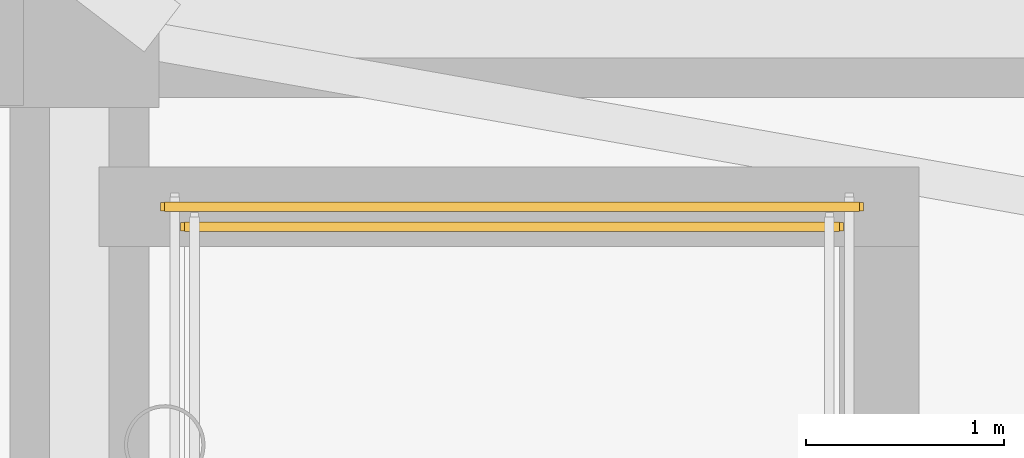
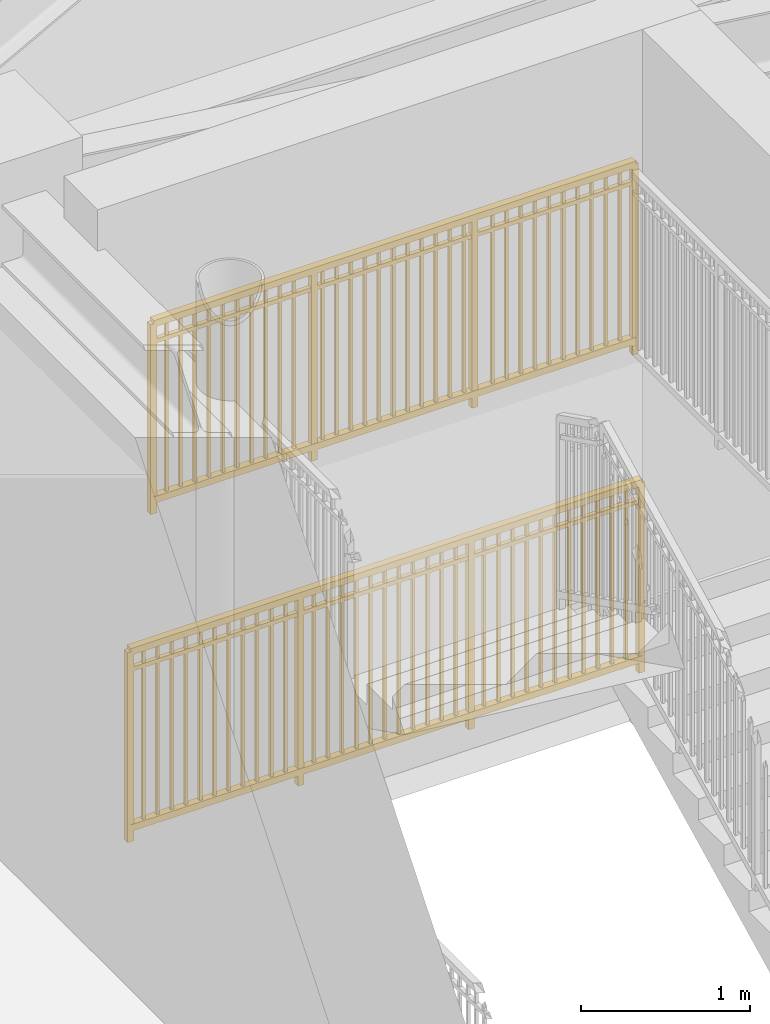
# One storey, part 12 of 12: 2 railings.
"""IFC4 building model written with IfcOpenShell, lengths in metres."""

from ifc_helpers import new_model, si_unit, direction, frame, origin, origin_2d, place, context, subcontext, project, spatial, rectangle, extrude, source, transform, mapped, material, type_object, element, save


model = new_model("IFC4")

# Units and contexts
model_context = context("Model", 3, precision=1e-05, world=origin(), true_north=direction((0.0, 1.0)))
body_context = subcontext(model_context, "Body", "Model", "MODEL_VIEW")
ifc_project = project(units=[si_unit("LENGTHUNIT", "METRE"), si_unit("AREAUNIT", "SQUARE_METRE"), si_unit("VOLUMEUNIT", "CUBIC_METRE"), si_unit("PLANEANGLEUNIT", "RADIAN"), si_unit("MASSUNIT", "GRAM", prefix="KILO")], contexts=[model_context])

# Site, building, storey
site_placement = place(None, origin())
site = spatial("IfcSite", under=ifc_project, at=site_placement, CompositionType="ELEMENT")
building_placement = place(site_placement, origin())
building = spatial("IfcBuilding", under=site, at=building_placement, Name="Linh Dai School and Residence Tower", CompositionType="ELEMENT")
storey_placement = place(building_placement, frame((0.0, 0.0, 368.39990234375)))
storey = spatial("IfcBuildingStorey", under=building, at=storey_placement, Name="L91", CompositionType="ELEMENT", Elevation=368.39990234375)

# Railings
ifc_material = material(Name="Structural Steel S355JR", Category="steel")
railing_type = type_object("IfcRailingType", Name="RL-ST-GUARD-1400", PredefinedType="GUARDRAIL", material=ifc_material)
shared_shape_1 = source(origin(), body_context, "Body", "SweptSolid", [
    extrude(rectangle(XDim=0.048095703125, YDim=0.048095703125, at=origin_2d()), frame((0.0, 0.0, 1.3759765625), z_axis=(-1.0, 0.0, 0.0), x_axis=(0.0, -1.0, 0.0)), (0.0, 0.0, 1.0), 3.300048828125),
    extrude(rectangle(XDim=0.048095703125, YDim=0.048095703125, at=origin_2d()), frame((0.0, 0.0, 0.10009765625), z_axis=(-1.0, 0.0, 0.0), x_axis=(0.0, -1.0, 0.0)), (0.0, 0.0, 1.0), 3.300048828125),
    extrude(rectangle(XDim=0.030029296875, YDim=0.030029296875, at=origin_2d()), frame((0.0, 0.0, 1.239990234375), z_axis=(-1.0, 0.0, 0.0), x_axis=(0.0, -1.0, 0.0)), (0.0, 0.0, 1.0), 3.300048828125),
    extrude(rectangle(XDim=0.02001953125, YDim=0.02001953125, at=origin_2d()), frame((-0.09716796875, 0.0, 0.10009765625)), (0.0, 0.0, 1.0), 1.251708984375),
    extrude(rectangle(XDim=0.02001953125, YDim=0.02001953125, at=origin_2d()), frame((-0.194091796875, 0.0, 0.10009765625)), (0.0, 0.0, 1.0), 1.251708984375),
    extrude(rectangle(XDim=0.02001953125, YDim=0.02001953125, at=origin_2d()), frame((-0.291259765625, 0.0, 0.10009765625)), (0.0, 0.0, 1.0), 1.251708984375),
    extrude(rectangle(XDim=0.02001953125, YDim=0.02001953125, at=origin_2d()), frame((-0.38818359375, 0.0, 0.10009765625)), (0.0, 0.0, 1.0), 1.251708984375),
    extrude(rectangle(XDim=0.02001953125, YDim=0.02001953125, at=origin_2d()), frame((-0.4853515625, 0.0, 0.10009765625)), (0.0, 0.0, 1.0), 1.251708984375),
    extrude(rectangle(XDim=0.02001953125, YDim=0.02001953125, at=origin_2d()), frame((-0.582275390625, 0.0, 0.10009765625)), (0.0, 0.0, 1.0), 1.251708984375),
    extrude(rectangle(XDim=0.02001953125, YDim=0.02001953125, at=origin_2d()), frame((-0.679443359375, 0.0, 0.10009765625)), (0.0, 0.0, 1.0), 1.251708984375),
    extrude(rectangle(XDim=0.02001953125, YDim=0.02001953125, at=origin_2d()), frame((-0.7763671875, 0.0, 0.10009765625)), (0.0, 0.0, 1.0), 1.251708984375),
    extrude(rectangle(XDim=0.02001953125, YDim=0.02001953125, at=origin_2d()), frame((-0.87353515625, 0.0, 0.10009765625)), (0.0, 0.0, 1.0), 1.251708984375),
    extrude(rectangle(XDim=0.02001953125, YDim=0.02001953125, at=origin_2d()), frame((-0.970703125, 0.0, 0.10009765625)), (0.0, 0.0, 1.0), 1.251708984375),
    extrude(rectangle(XDim=0.02001953125, YDim=0.02001953125, at=origin_2d()), frame((-1.164794921875, 0.0, 0.10009765625)), (0.0, 0.0, 1.0), 1.251708984375),
    extrude(rectangle(XDim=0.02001953125, YDim=0.02001953125, at=origin_2d()), frame((-1.26171875, 0.0, 0.10009765625)), (0.0, 0.0, 1.0), 1.251708984375),
    extrude(rectangle(XDim=0.02001953125, YDim=0.02001953125, at=origin_2d()), frame((-1.35888671875, 0.0, 0.10009765625)), (0.0, 0.0, 1.0), 1.251708984375),
    extrude(rectangle(XDim=0.02001953125, YDim=0.02001953125, at=origin_2d()), frame((-1.455810546875, 0.0, 0.10009765625)), (0.0, 0.0, 1.0), 1.251708984375),
    extrude(rectangle(XDim=0.02001953125, YDim=0.02001953125, at=origin_2d()), frame((-1.552978515625, 0.0, 0.10009765625)), (0.0, 0.0, 1.0), 1.251708984375),
    extrude(rectangle(XDim=0.02001953125, YDim=0.02001953125, at=origin_2d()), frame((-1.64990234375, 0.0, 0.10009765625)), (0.0, 0.0, 1.0), 1.251708984375),
    extrude(rectangle(XDim=0.02001953125, YDim=0.02001953125, at=origin_2d()), frame((-1.7470703125, 0.0, 0.10009765625)), (0.0, 0.0, 1.0), 1.251708984375),
    extrude(rectangle(XDim=0.02001953125, YDim=0.02001953125, at=origin_2d()), frame((-1.84423828125, 0.0, 0.10009765625)), (0.0, 0.0, 1.0), 1.251708984375),
    extrude(rectangle(XDim=0.02001953125, YDim=0.02001953125, at=origin_2d()), frame((-1.941162109375, 0.0, 0.10009765625)), (0.0, 0.0, 1.0), 1.251708984375),
    extrude(rectangle(XDim=0.02001953125, YDim=0.02001953125, at=origin_2d()), frame((-2.038330078125, 0.0, 0.10009765625)), (0.0, 0.0, 1.0), 1.251708984375),
    extrude(rectangle(XDim=0.02001953125, YDim=0.02001953125, at=origin_2d()), frame((-2.13525390625, 0.0, 0.10009765625)), (0.0, 0.0, 1.0), 1.251708984375),
    extrude(rectangle(XDim=0.02001953125, YDim=0.02001953125, at=origin_2d()), frame((-2.329345703125, 0.0, 0.10009765625)), (0.0, 0.0, 1.0), 1.251708984375),
    extrude(rectangle(XDim=0.02001953125, YDim=0.02001953125, at=origin_2d()), frame((-2.426513671875, 0.0, 0.10009765625)), (0.0, 0.0, 1.0), 1.251708984375),
    extrude(rectangle(XDim=0.02001953125, YDim=0.02001953125, at=origin_2d()), frame((-2.523681640625, 0.0, 0.10009765625)), (0.0, 0.0, 1.0), 1.251708984375),
    extrude(rectangle(XDim=0.02001953125, YDim=0.02001953125, at=origin_2d()), frame((-2.62060546875, 0.0, 0.10009765625)), (0.0, 0.0, 1.0), 1.251708984375),
    extrude(rectangle(XDim=0.02001953125, YDim=0.02001953125, at=origin_2d()), frame((-2.7177734375, 0.0, 0.10009765625)), (0.0, 0.0, 1.0), 1.251708984375),
    extrude(rectangle(XDim=0.02001953125, YDim=0.02001953125, at=origin_2d()), frame((-2.814697265625, 0.0, 0.10009765625)), (0.0, 0.0, 1.0), 1.251708984375),
    extrude(rectangle(XDim=0.02001953125, YDim=0.02001953125, at=origin_2d()), frame((-2.911865234375, 0.0, 0.10009765625)), (0.0, 0.0, 1.0), 1.251708984375),
    extrude(rectangle(XDim=0.02001953125, YDim=0.02001953125, at=origin_2d()), frame((-3.0087890625, 0.0, 0.10009765625)), (0.0, 0.0, 1.0), 1.251708984375),
    extrude(rectangle(XDim=0.02001953125, YDim=0.02001953125, at=origin_2d()), frame((-3.10595703125, 0.0, 0.10009765625)), (0.0, 0.0, 1.0), 1.251708984375),
    extrude(rectangle(XDim=0.02001953125, YDim=0.02001953125, at=origin_2d()), frame((-3.202880859375, 0.0, 0.10009765625)), (0.0, 0.0, 1.0), 1.251708984375),
    extrude(rectangle(XDim=0.0419921875, YDim=0.0419921875, at=origin_2d()), origin(), (0.0, 0.0, 1.0), 1.3759765625),
    extrude(rectangle(XDim=0.0419921875, YDim=0.0419921875, at=origin_2d()), frame((-1.10009765625, 0.0, 0.0)), (0.0, 0.0, 1.0), 1.3759765625),
    extrude(rectangle(XDim=0.0419921875, YDim=0.0419921875, at=origin_2d()), frame((-2.199951171875, 0.0, 0.0)), (0.0, 0.0, 1.0), 1.3759765625),
    extrude(rectangle(XDim=0.0419921875, YDim=0.0419921875, at=origin_2d()), frame((-3.300048828125, 0.0, 0.0)), (0.0, 0.0, 1.0), 1.3759765625),
])
railing_1_placement = place(storey_placement, frame((30.97998046875, 32.449951171875, 2.400146484375)))
element("IfcRailing", 1, at=railing_1_placement, inside=storey, type_object=railing_type, Name="L91 ST1 stair guard 5", PredefinedType="GUARDRAIL", context=body_context, shape_type="MappedRepresentation", body=[
    mapped(shared_shape_1, transform((0.0, 0.0, 0.0), x_axis=(1.0, 0.0, 0.0), y_axis=(0.0, 1.0, 0.0), z_axis=(0.0, 0.0, 1.0), scale=1.0)),
])
shared_shape_2 = source(origin(), body_context, "Body", "SweptSolid", [
    extrude(rectangle(XDim=0.048095703125, YDim=0.048095703125, at=origin_2d()), frame((0.0, 0.0, 1.3759765625), z_axis=(-1.0, 0.0, 0.0), x_axis=(0.0, -1.0, 0.0)), (0.0, 0.0, 1.0), 3.5),
    extrude(rectangle(XDim=0.048095703125, YDim=0.048095703125, at=origin_2d()), frame((0.0, 0.0, 0.10009765625), z_axis=(-1.0, 0.0, 0.0), x_axis=(0.0, -1.0, 0.0)), (0.0, 0.0, 1.0), 3.5),
    extrude(rectangle(XDim=0.030029296875, YDim=0.030029296875, at=origin_2d()), frame((0.0, 0.0, 1.239990234375), z_axis=(-1.0, 0.0, 0.0), x_axis=(0.0, -1.0, 0.0)), (0.0, 0.0, 1.0), 3.5),
    extrude(rectangle(XDim=0.02001953125, YDim=0.02001953125, at=origin_2d()), frame((-0.09716796875, 0.0, 0.10009765625)), (0.0, 0.0, 1.0), 1.251708984375),
    extrude(rectangle(XDim=0.02001953125, YDim=0.02001953125, at=origin_2d()), frame((-0.1943359375, 0.0, 0.10009765625)), (0.0, 0.0, 1.0), 1.251708984375),
    extrude(rectangle(XDim=0.02001953125, YDim=0.02001953125, at=origin_2d()), frame((-0.291748046875, 0.0, 0.10009765625)), (0.0, 0.0, 1.0), 1.251708984375),
    extrude(rectangle(XDim=0.02001953125, YDim=0.02001953125, at=origin_2d()), frame((-0.388916015625, 0.0, 0.10009765625)), (0.0, 0.0, 1.0), 1.251708984375),
    extrude(rectangle(XDim=0.02001953125, YDim=0.02001953125, at=origin_2d()), frame((-0.486083984375, 0.0, 0.10009765625)), (0.0, 0.0, 1.0), 1.251708984375),
    extrude(rectangle(XDim=0.02001953125, YDim=0.02001953125, at=origin_2d()), frame((-0.583251953125, 0.0, 0.10009765625)), (0.0, 0.0, 1.0), 1.251708984375),
    extrude(rectangle(XDim=0.02001953125, YDim=0.02001953125, at=origin_2d()), frame((-0.6806640625, 0.0, 0.10009765625)), (0.0, 0.0, 1.0), 1.251708984375),
    extrude(rectangle(XDim=0.02001953125, YDim=0.02001953125, at=origin_2d()), frame((-0.77783203125, 0.0, 0.10009765625)), (0.0, 0.0, 1.0), 1.251708984375),
    extrude(rectangle(XDim=0.02001953125, YDim=0.02001953125, at=origin_2d()), frame((-0.875, 0.0, 0.10009765625)), (0.0, 0.0, 1.0), 1.251708984375),
    extrude(rectangle(XDim=0.02001953125, YDim=0.02001953125, at=origin_2d()), frame((-0.97216796875, 0.0, 0.10009765625)), (0.0, 0.0, 1.0), 1.251708984375),
    extrude(rectangle(XDim=0.02001953125, YDim=0.02001953125, at=origin_2d()), frame((-1.0693359375, 0.0, 0.10009765625)), (0.0, 0.0, 1.0), 1.251708984375),
    extrude(rectangle(XDim=0.02001953125, YDim=0.02001953125, at=origin_2d()), frame((-1.263916015625, 0.0, 0.10009765625)), (0.0, 0.0, 1.0), 1.251708984375),
    extrude(rectangle(XDim=0.02001953125, YDim=0.02001953125, at=origin_2d()), frame((-1.361083984375, 0.0, 0.10009765625)), (0.0, 0.0, 1.0), 1.251708984375),
    extrude(rectangle(XDim=0.02001953125, YDim=0.02001953125, at=origin_2d()), frame((-1.458251953125, 0.0, 0.10009765625)), (0.0, 0.0, 1.0), 1.251708984375),
    extrude(rectangle(XDim=0.02001953125, YDim=0.02001953125, at=origin_2d()), frame((-1.5556640625, 0.0, 0.10009765625)), (0.0, 0.0, 1.0), 1.251708984375),
    extrude(rectangle(XDim=0.02001953125, YDim=0.02001953125, at=origin_2d()), frame((-1.65283203125, 0.0, 0.10009765625)), (0.0, 0.0, 1.0), 1.251708984375),
    extrude(rectangle(XDim=0.02001953125, YDim=0.02001953125, at=origin_2d()), frame((-1.75, 0.0, 0.10009765625)), (0.0, 0.0, 1.0), 1.251708984375),
    extrude(rectangle(XDim=0.02001953125, YDim=0.02001953125, at=origin_2d()), frame((-1.84716796875, 0.0, 0.10009765625)), (0.0, 0.0, 1.0), 1.251708984375),
    extrude(rectangle(XDim=0.02001953125, YDim=0.02001953125, at=origin_2d()), frame((-1.9443359375, 0.0, 0.10009765625)), (0.0, 0.0, 1.0), 1.251708984375),
    extrude(rectangle(XDim=0.02001953125, YDim=0.02001953125, at=origin_2d()), frame((-2.041748046875, 0.0, 0.10009765625)), (0.0, 0.0, 1.0), 1.251708984375),
    extrude(rectangle(XDim=0.02001953125, YDim=0.02001953125, at=origin_2d()), frame((-2.138916015625, 0.0, 0.10009765625)), (0.0, 0.0, 1.0), 1.251708984375),
    extrude(rectangle(XDim=0.02001953125, YDim=0.02001953125, at=origin_2d()), frame((-2.236083984375, 0.0, 0.10009765625)), (0.0, 0.0, 1.0), 1.251708984375),
    extrude(rectangle(XDim=0.02001953125, YDim=0.02001953125, at=origin_2d()), frame((-2.4306640625, 0.0, 0.10009765625)), (0.0, 0.0, 1.0), 1.251708984375),
    extrude(rectangle(XDim=0.02001953125, YDim=0.02001953125, at=origin_2d()), frame((-2.52783203125, 0.0, 0.10009765625)), (0.0, 0.0, 1.0), 1.251708984375),
    extrude(rectangle(XDim=0.02001953125, YDim=0.02001953125, at=origin_2d()), frame((-2.625, 0.0, 0.10009765625)), (0.0, 0.0, 1.0), 1.251708984375),
    extrude(rectangle(XDim=0.02001953125, YDim=0.02001953125, at=origin_2d()), frame((-2.72216796875, 0.0, 0.10009765625)), (0.0, 0.0, 1.0), 1.251708984375),
    extrude(rectangle(XDim=0.02001953125, YDim=0.02001953125, at=origin_2d()), frame((-2.8193359375, 0.0, 0.10009765625)), (0.0, 0.0, 1.0), 1.251708984375),
    extrude(rectangle(XDim=0.02001953125, YDim=0.02001953125, at=origin_2d()), frame((-2.916748046875, 0.0, 0.10009765625)), (0.0, 0.0, 1.0), 1.251708984375),
    extrude(rectangle(XDim=0.02001953125, YDim=0.02001953125, at=origin_2d()), frame((-3.013916015625, 0.0, 0.10009765625)), (0.0, 0.0, 1.0), 1.251708984375),
    extrude(rectangle(XDim=0.02001953125, YDim=0.02001953125, at=origin_2d()), frame((-3.111083984375, 0.0, 0.10009765625)), (0.0, 0.0, 1.0), 1.251708984375),
    extrude(rectangle(XDim=0.02001953125, YDim=0.02001953125, at=origin_2d()), frame((-3.208251953125, 0.0, 0.10009765625)), (0.0, 0.0, 1.0), 1.251708984375),
    extrude(rectangle(XDim=0.02001953125, YDim=0.02001953125, at=origin_2d()), frame((-3.3056640625, 0.0, 0.10009765625)), (0.0, 0.0, 1.0), 1.251708984375),
    extrude(rectangle(XDim=0.02001953125, YDim=0.02001953125, at=origin_2d()), frame((-3.40283203125, 0.0, 0.10009765625)), (0.0, 0.0, 1.0), 1.251708984375),
    extrude(rectangle(XDim=0.0419921875, YDim=0.0419921875, at=origin_2d()), origin(), (0.0, 0.0, 1.0), 1.3759765625),
    extrude(rectangle(XDim=0.0419921875, YDim=0.0419921875, at=origin_2d()), frame((-1.166748046875, 0.0, 0.0)), (0.0, 0.0, 1.0), 1.3759765625),
    extrude(rectangle(XDim=0.0419921875, YDim=0.0419921875, at=origin_2d()), frame((-2.333251953125, 0.0, 0.0)), (0.0, 0.0, 1.0), 1.3759765625),
    extrude(rectangle(XDim=0.0419921875, YDim=0.0419921875, at=origin_2d()), frame((-3.5, 0.0, 0.0)), (0.0, 0.0, 1.0), 1.3759765625),
])
railing_2_placement = place(storey_placement, frame((31.080078125, 32.550048828125, 0.0)))
element("IfcRailing", 2, at=railing_2_placement, inside=storey, type_object=railing_type, Name="L91 ST1 stair guard 12", PredefinedType="GUARDRAIL", context=body_context, shape_type="MappedRepresentation", body=[
    mapped(shared_shape_2, transform((0.0, 0.0, 0.0), x_axis=(1.0, 0.0, 0.0), y_axis=(0.0, 1.0, 0.0), z_axis=(0.0, 0.0, 1.0), scale=1.0)),
])

save(model, "model.ifc")
